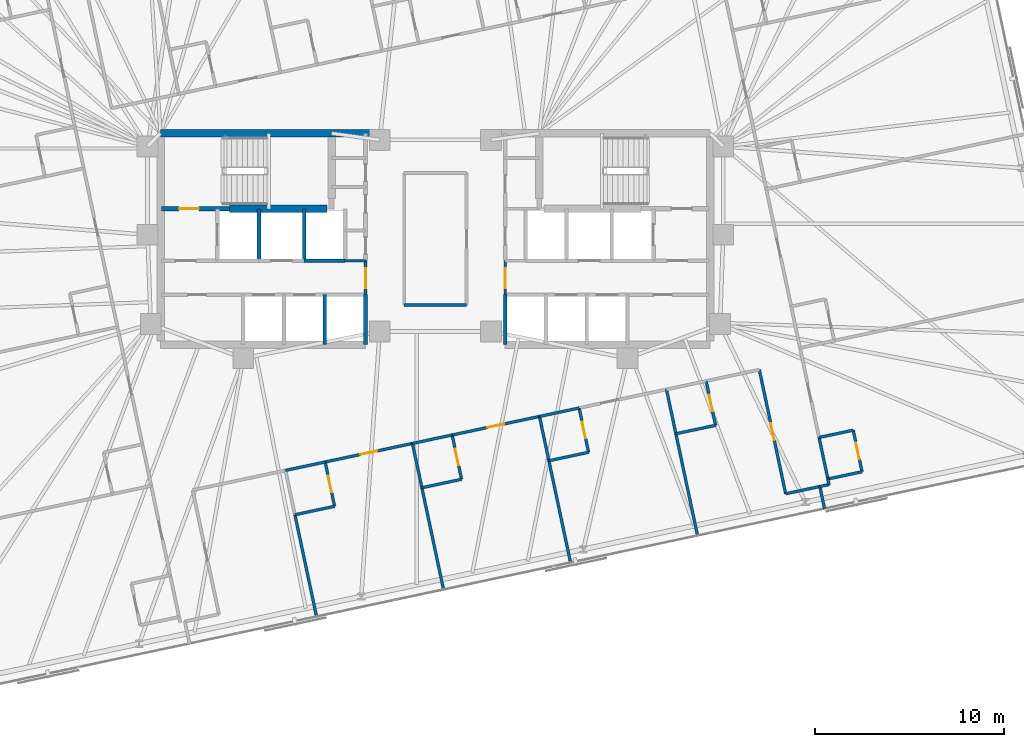
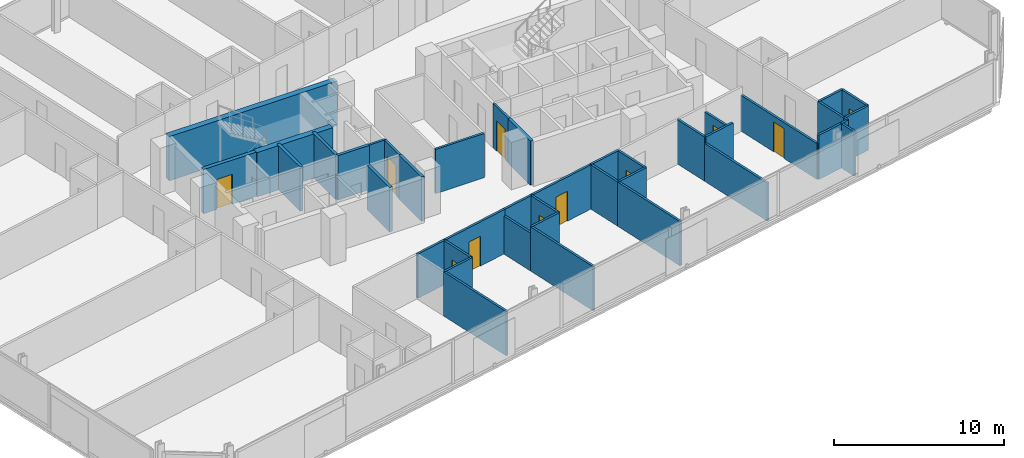
# One storey, part 15 of 20: 42 walls, 11 doors, 11 openings.
"""IFC4 building model written with IfcOpenShell, lengths in metres."""

from ifc_helpers import new_model, si_unit, direction, frame, frame_2d, origin, place, context, subcontext, project, spatial, rectangle, extrude, material, layer, layer_set, type_object, element, fill, save


model = new_model("IFC4")

# Units and contexts
model_context = context("Model", 3, precision=1e-05, world=origin(), true_north=direction((0.0, 1.0)))
body_context = subcontext(model_context, "Body", "Model", "MODEL_VIEW")
ifc_project = project(units=[si_unit("LENGTHUNIT", "METRE"), si_unit("AREAUNIT", "SQUARE_METRE"), si_unit("VOLUMEUNIT", "CUBIC_METRE"), si_unit("PLANEANGLEUNIT", "RADIAN"), si_unit("MASSUNIT", "GRAM", prefix="KILO")], contexts=[model_context])

# Site, building, storey
site_placement = place(None, origin())
site = spatial("IfcSite", under=ifc_project, at=site_placement, CompositionType="ELEMENT")
building_placement = place(site_placement, origin())
building = spatial("IfcBuilding", under=site, at=building_placement, Name="Menara Jurai Vektor", CompositionType="ELEMENT")
storey_placement = place(building_placement, frame((0.0, 0.0, 178.60009765625)))
storey = spatial("IfcBuildingStorey", under=building, at=storey_placement, Name="L46", CompositionType="ELEMENT", Elevation=178.60009765625)

# Wall, opening, door
ifc_material_1 = material(Name="Concrete C40/50", Category="concrete")
ifc_layer_1 = layer(ifc_material_1, 0.25)
ifc_layer_set_1 = layer_set([ifc_layer_1], Name="Concrete C40/50")
wall_type_1 = type_object("IfcWallType", Name="INT-WALL-CORE-250", PredefinedType="STANDARD", material=ifc_layer_set_1)
wall_1_placement = place(storey_placement, frame((-14.5, 1.60009765625, 0.0), z_axis=(0.0, 0.0, 1.0), x_axis=(1.0, 0.0, 0.0)))
wall_1 = element("IfcWall", 1, at=wall_1_placement, inside=storey, type_object=wall_type_1, Name="Interior Wall IW-250 L46", PredefinedType="STANDARD", context=body_context, shape_type="SweptSolid", body=[
    extrude(rectangle(XDim=3.60009765625, YDim=0.25, at=frame_2d((1.800048828125, 0.0))), origin(), (0.0, 0.0, 1.0), 3.1748046875),
])
opening_1_placement = place(wall_1_placement, frame((0.919921875, 0.0, 0.0)))
opening_1 = element("IfcOpeningElement", 2, at=opening_1_placement, cuts=wall_1, Name="Opening D-L46-ST1", PredefinedType="OPENING", context=body_context, shape_type="SweptSolid", body=[
    extrude(rectangle(XDim=1.050048828125, YDim=2.14990234375, at=frame_2d((0.52490234375, 1.074951171875))), frame((0.0, 0.135009765625, 0.0), z_axis=(0.0, -1.0, 0.0), x_axis=(1.0, 0.0, 0.0)), (0.0, 0.0, 1.0), 0.27001953125),
])
ifc_material_2 = material(Name="Fire-Rated Steel Door", Category="steel")
door_type_1 = type_object("IfcDoorType", Name="DR-STAIR-1050", OperationType="NOTDEFINED", PredefinedType="DOOR", material=ifc_material_2)
door_1_placement = place(opening_1_placement, origin())
door_1 = element("IfcDoor", 3, at=door_1_placement, inside=storey, type_object=door_type_1, Name="Exit Stair ST1 Door L46", OperationType="SINGLE_SWING_RIGHT", OverallHeight=2.14990234375, OverallWidth=1.050048828125, PredefinedType="DOOR", context=body_context, shape_type="SweptSolid", body=[
    extrude(rectangle(XDim=1.050048828125, YDim=2.14990234375, at=frame_2d((0.52490234375, 1.074951171875))), frame((0.0, 0.02490234375, 0.0), z_axis=(0.0, -1.0, 0.0), x_axis=(1.0, 0.0, 0.0)), (0.0, 0.0, 1.0), 0.050048828125),
])
fill(opening_1, door_1)

# Wall
wall_2_placement = place(storey_placement, frame((-9.35009765625, -1.14990234375, 0.0), z_axis=(0.0, 0.0, 1.0), x_axis=(0.0, 1.0, 0.0)))
element("IfcWall", 4, at=wall_2_placement, inside=storey, type_object=wall_type_1, Name="Interior Wall IW-250 L46", PredefinedType="STANDARD", context=body_context, shape_type="SweptSolid", body=[
    extrude(rectangle(XDim=2.75, YDim=0.199951171875, at=frame_2d((1.375, 0.0))), origin(), (0.0, 0.0, 1.0), 3.1748046875),
])

# Wall, opening, door
ifc_material_3 = material(Name="Gypsum Fireboard Partition", Category="gypsum")
ifc_layer_2 = layer(ifc_material_3, 0.14990234375)
ifc_layer_set_2 = layer_set([ifc_layer_2], Name="Gypsum Fireboard Partition")
wall_type_2 = type_object("IfcWallType", Name="INT-WALL-CORR-150", PredefinedType="PARTITIONING", material=ifc_layer_set_2)
wall_3_placement = place(storey_placement, frame((-3.699951171875, -2.949951171875, 0.0), z_axis=(0.0, 0.0, 1.0), x_axis=(0.0, 1.0, 0.0)))
wall_3 = element("IfcWall", 5, at=wall_3_placement, inside=storey, type_object=wall_type_2, Name="Interior Wall IW-150 L46", PredefinedType="PARTITIONING", context=body_context, shape_type="SweptSolid", body=[
    extrude(rectangle(XDim=1.800048828125, YDim=0.14990234375, at=frame_2d((0.89990234375, 0.0))), origin(), (0.0, 0.0, 1.0), 3.1748046875),
])
opening_2_placement = place(wall_3_placement, frame((0.35009765625, 0.0, 0.0)))
opening_2 = element("IfcOpeningElement", 6, at=opening_2_placement, cuts=wall_3, Name="Opening D-L46-LLW", PredefinedType="OPENING", context=body_context, shape_type="SweptSolid", body=[
    extrude(rectangle(XDim=1.050048828125, YDim=2.179931640625, at=frame_2d((0.52490234375, 1.08984375))), frame((0.0, 0.0849609375, 0.0), z_axis=(0.0, -1.0, 0.0), x_axis=(1.0, 0.0, 0.0)), (0.0, 0.0, 1.0), 0.169921875),
])
ifc_material_4 = material(Name="Fire-Rated Timber Door", Category="wood")
door_type_2 = type_object("IfcDoorType", Name="DR-LOBBY-1050", OperationType="NOTDEFINED", PredefinedType="DOOR", material=ifc_material_4)
door_2_placement = place(opening_2_placement, origin())
door_2 = element("IfcDoor", 7, at=door_2_placement, inside=storey, type_object=door_type_2, Name="Lift Lobby Corridor Door W L46", OperationType="SINGLE_SWING_LEFT", OverallHeight=2.179931640625, OverallWidth=1.050048828125, PredefinedType="DOOR", context=body_context, shape_type="SweptSolid", body=[
    extrude(rectangle(XDim=1.050048828125, YDim=2.179931640625, at=frame_2d((0.52490234375, 1.08984375))), frame((0.0, 0.02490234375, 0.0), z_axis=(0.0, -1.0, 0.0), x_axis=(1.0, 0.0, 0.0)), (0.0, 0.0, 1.0), 0.050048828125),
])
fill(opening_2, door_2)

# Wall
wall_4_placement = place(storey_placement, frame((-4.7900390625, -1.14990234375, 0.0), z_axis=(0.0, 0.0, 1.0), x_axis=(1.0, 0.0, 0.0)))
element("IfcWall", 8, at=wall_4_placement, inside=storey, type_object=wall_type_2, Name="Interior Wall IW-150 L46", PredefinedType="PARTITIONING", context=body_context, shape_type="SweptSolid", body=[
    extrude(rectangle(XDim=1.090087890625, YDim=0.14990234375, at=frame_2d((0.544921875, 0.0))), origin(), (0.0, 0.0, 1.0), 3.1748046875),
])

# Wall, opening, door
wall_5_placement = place(storey_placement, frame((3.699951171875, -2.949951171875, 0.0), z_axis=(0.0, 0.0, 1.0), x_axis=(0.0, 1.0, 0.0)))
wall_5 = element("IfcWall", 9, at=wall_5_placement, inside=storey, type_object=wall_type_2, Name="Interior Wall IW-150 L46", PredefinedType="PARTITIONING", context=body_context, shape_type="SweptSolid", body=[
    extrude(rectangle(XDim=1.800048828125, YDim=0.14990234375, at=frame_2d((0.89990234375, 0.0))), origin(), (0.0, 0.0, 1.0), 3.1748046875),
])
opening_3_placement = place(wall_5_placement, frame((0.35009765625, 0.0, 0.0)))
opening_3 = element("IfcOpeningElement", 10, at=opening_3_placement, cuts=wall_5, Name="Opening D-L46-LLE", PredefinedType="OPENING", context=body_context, shape_type="SweptSolid", body=[
    extrude(rectangle(XDim=1.050048828125, YDim=2.179931640625, at=frame_2d((0.52490234375, 1.08984375))), frame((0.0, 0.0849609375, 0.0), z_axis=(0.0, -1.0, 0.0), x_axis=(1.0, 0.0, 0.0)), (0.0, 0.0, 1.0), 0.169921875),
])
door_3_placement = place(opening_3_placement, frame((1.050048828125, 0.0, 0.0), z_axis=(0.0, 0.0, 1.0), x_axis=(-1.0, 0.0, 0.0)))
door_3 = element("IfcDoor", 11, at=door_3_placement, inside=storey, type_object=door_type_2, Name="Lift Lobby Corridor Door E L46", OperationType="SINGLE_SWING_RIGHT", OverallHeight=2.179931640625, OverallWidth=1.050048828125, PredefinedType="DOOR", context=body_context, shape_type="SweptSolid", body=[
    extrude(rectangle(XDim=1.050048828125, YDim=2.179931640625, at=frame_2d((0.52490234375, 1.08984375))), frame((0.0, 0.02490234375, 0.0), z_axis=(0.0, -1.0, 0.0), x_axis=(1.0, 0.0, 0.0)), (0.0, 0.0, 1.0), 0.050048828125),
])
fill(opening_3, door_3)

# Wall
wall_6_placement = place(storey_placement, frame((-1.64990234375, -3.489501953125, 0.0), z_axis=(0.0, 0.0, 1.0), x_axis=(0.999999975374, -0.000221926315, 0.0)))
element("IfcWall", 12, at=wall_6_placement, inside=storey, type_object=wall_type_2, Name="Interior Wall IW-150 L46", PredefinedType="PARTITIONING", context=body_context, shape_type="SweptSolid", body=[
    extrude(rectangle(XDim=3.30029296875, YDim=0.14990234375, at=frame_2d((1.650146484375, 0.0))), origin(), (0.0, 0.0, 1.0), 3.1748046875),
])

# Wall, opening, door
wall_7_placement = place(storey_placement, frame((-5.839599609375, -11.814453125, 0.0), z_axis=(0.0, 0.0, 1.0), x_axis=(0.978148615161, 0.207906918255, 0.0)))
wall_7 = element("IfcWall", 13, at=wall_7_placement, inside=storey, type_object=wall_type_2, Name="Interior Wall IW-150 L46", PredefinedType="PARTITIONING", context=body_context, shape_type="SweptSolid", body=[
    extrude(rectangle(XDim=4.728759765625, YDim=0.14990234375, at=frame_2d((2.3642578125, 0.0))), origin(), (0.0, 0.0, 1.0), 3.1748046875),
])
opening_4_placement = place(wall_7_placement, frame((1.904541015625, 0.0, 0.0)))
opening_4 = element("IfcOpeningElement", 14, at=opening_4_placement, cuts=wall_7, Name="Opening D46-21", PredefinedType="OPENING", context=body_context, shape_type="SweptSolid", body=[
    extrude(rectangle(XDim=0.919921875, YDim=2.14990234375, at=frame_2d((0.4599609375, 1.074951171875))), frame((0.0, 0.0849609375, 0.0), z_axis=(0.0, -1.0, 0.0), x_axis=(1.0, 0.0, 0.0)), (0.0, 0.0, 1.0), 0.169921875),
])
ifc_material_5 = material(Name="Solid Core Timber Fire Door", Category="wood")
door_type_3 = type_object("IfcDoorType", Name="DR-ENTRY-950", OperationType="NOTDEFINED", PredefinedType="DOOR", material=ifc_material_5)
door_4_placement = place(opening_4_placement, origin())
door_4 = element("IfcDoor", 15, at=door_4_placement, inside=storey, type_object=door_type_3, Name="Interior Door D46-21", OperationType="SINGLE_SWING_RIGHT", OverallHeight=2.14990234375, OverallWidth=0.919921875, PredefinedType="DOOR", context=body_context, shape_type="SweptSolid", body=[
    extrude(rectangle(XDim=0.919921875, YDim=2.14990234375, at=frame_2d((0.4599609375, 1.074951171875))), frame((0.0, 0.02490234375, 0.0), z_axis=(0.0, -1.0, 0.0), x_axis=(1.0, 0.0, 0.0)), (0.0, 0.0, 1.0), 0.050048828125),
])
fill(opening_4, door_4)

# Wall
wall_8_placement = place(storey_placement, frame((-7.942626953125, -12.261474609375, 0.0), z_axis=(0.0, 0.0, 1.0), x_axis=(0.978146728319, 0.207915795165, 0.0)))
element("IfcWall", 16, at=wall_8_placement, inside=storey, type_object=wall_type_2, Name="Interior Wall IW-150 L46", PredefinedType="PARTITIONING", context=body_context, shape_type="SweptSolid", body=[
    extrude(rectangle(XDim=2.14990234375, YDim=0.14990234375, at=frame_2d((1.074951171875, 0.0))), origin(), (0.0, 0.0, 1.0), 3.1748046875),
])

# Wall, opening, door
wall_9_placement = place(storey_placement, frame((0.888916015625, -10.38427734375, 0.0), z_axis=(0.0, 0.0, 1.0), x_axis=(0.978150846638, 0.207896419455, 0.0)))
wall_9 = element("IfcWall", 17, at=wall_9_placement, inside=storey, type_object=wall_type_2, Name="Interior Wall IW-150 L46", PredefinedType="PARTITIONING", context=body_context, shape_type="SweptSolid", body=[
    extrude(rectangle(XDim=4.72900390625, YDim=0.14990234375, at=frame_2d((2.364501953125, 0.0))), origin(), (0.0, 0.0, 1.0), 3.1748046875),
])
opening_5_placement = place(wall_9_placement, frame((1.904541015625, 0.0, 0.0)))
opening_5 = element("IfcOpeningElement", 18, at=opening_5_placement, cuts=wall_9, Name="Opening D46-23", PredefinedType="OPENING", context=body_context, shape_type="SweptSolid", body=[
    extrude(rectangle(XDim=0.919921875, YDim=2.14990234375, at=frame_2d((0.4599609375, 1.074951171875))), frame((0.0, 0.0849609375, 0.0), z_axis=(0.0, -1.0, 0.0), x_axis=(1.0, 0.0, 0.0)), (0.0, 0.0, 1.0), 0.169921875),
])
door_5_placement = place(opening_5_placement, origin())
door_5 = element("IfcDoor", 19, at=door_5_placement, inside=storey, type_object=door_type_3, Name="Interior Door D46-23", OperationType="SINGLE_SWING_RIGHT", OverallHeight=2.14990234375, OverallWidth=0.919921875, PredefinedType="DOOR", context=body_context, shape_type="SweptSolid", body=[
    extrude(rectangle(XDim=0.919921875, YDim=2.14990234375, at=frame_2d((0.4599609375, 1.074951171875))), frame((0.0, 0.02490234375, 0.0), z_axis=(0.0, -1.0, 0.0), x_axis=(1.0, 0.0, 0.0)), (0.0, 0.0, 1.0), 0.050048828125),
])
fill(opening_5, door_5)

# Walls
for number, where, z_axis, x_axis, name in (
    (20, (-1.214111328125, -10.831298828125, 0.0), (0.0, 0.0, 1.0), (0.978146728319, 0.207915795165, 0.0), "Interior Wall IW-150 L46"),
    (21, (5.5146484375, -9.401123046875, 0.0), (0.0, 0.0, 1.0), (0.978146728319, 0.207915795165, 0.0), "Interior Wall IW-150 L46"),
):
    element("IfcWall", number, at=place(storey_placement, frame(where, z_axis=z_axis, x_axis=x_axis)), inside=storey, type_object=wall_type_2, Name=name, PredefinedType="PARTITIONING", context=body_context, shape_type="SweptSolid", body=[
        extrude(rectangle(XDim=2.14990234375, YDim=0.14990234375, at=frame_2d((1.074951171875, 0.0))), origin(), (0.0, 0.0, 1.0), 3.1748046875),
    ])
wall_10_placement = place(storey_placement, frame((18.5595703125, -13.498291015625, 0.0), z_axis=(0.0, 0.0, 1.0), x_axis=(0.978160192495, 0.207852442415, 0.0)))
element("IfcWall", 22, at=wall_10_placement, inside=storey, type_object=wall_type_2, Name="Interior Wall IW-150 L46", PredefinedType="PARTITIONING", context=body_context, shape_type="SweptSolid", body=[
    extrude(rectangle(XDim=1.849853515625, YDim=0.14990234375, at=frame_2d((0.9248046875, 0.0))), origin(), (0.0, 0.0, 1.0), 3.1748046875),
])
wall_11_placement = place(storey_placement, frame((20.369140625, -13.11376953125, 0.0), z_axis=(0.0, 0.0, 1.0), x_axis=(0.978143962546, 0.207928806409, 0.0)))
element("IfcWall", 23, at=wall_11_placement, inside=storey, type_object=wall_type_2, Name="Interior Wall IW-150 L46", PredefinedType="PARTITIONING", context=body_context, shape_type="SweptSolid", body=[
    extrude(rectangle(XDim=0.500244140625, YDim=0.14990234375, at=frame_2d((0.25, 0.0))), origin(), (0.0, 0.0, 1.0), 3.1748046875),
])
wall_12_placement = place(storey_placement, frame((20.8583984375, -13.009765625, 0.0), z_axis=(0.0, 0.0, 1.0), x_axis=(-0.208306395052, 0.978063620518, 0.0)))
element("IfcWall", 24, at=wall_12_placement, inside=storey, type_object=wall_type_2, Name="Interior Wall IW-150 L46", PredefinedType="PARTITIONING", context=body_context, shape_type="SweptSolid", body=[
    extrude(rectangle(XDim=0.300048828125, YDim=0.14990234375, at=frame_2d((0.14990234375, 0.0))), origin(), (0.0, 0.0, 1.0), 3.1748046875),
])
wall_13_placement = place(storey_placement, frame((20.7958984375, -12.71630859375, 0.0), z_axis=(0.0, 0.0, 1.0), x_axis=(-0.207891197838, 0.978151956427, 0.0)))
element("IfcWall", 25, at=wall_13_placement, inside=storey, type_object=wall_type_2, Name="Interior Wall IW-150 L46", PredefinedType="PARTITIONING", context=body_context, shape_type="SweptSolid", body=[
    extrude(rectangle(XDim=2.25, YDim=0.14990234375, at=frame_2d((1.125, 0.0))), origin(), (0.0, 0.0, 1.0), 3.1748046875),
])
wall_14_placement = place(storey_placement, frame((-6.2958984375, -20.00830078125, 0.0), z_axis=(0.0, 0.0, 1.0), x_axis=(-0.20792487872, 0.978144797466, 0.0)))
element("IfcWall", 26, at=wall_14_placement, inside=storey, type_object=wall_type_2, Name="Interior Wall IW-150 L46", PredefinedType="PARTITIONING", context=body_context, shape_type="SweptSolid", body=[
    extrude(rectangle(XDim=5.519775390625, YDim=0.14990234375, at=frame_2d((2.759765625, 0.0))), origin(), (0.0, 0.0, 1.0), 3.1748046875),
])
wall_15_placement = place(storey_placement, frame((-7.443603515625, -14.609130859375, 0.0), z_axis=(0.0, 0.0, 1.0), x_axis=(0.978141818715, 0.207938891219, 0.0)))
element("IfcWall", 27, at=wall_15_placement, inside=storey, type_object=wall_type_2, Name="Interior Wall IW-150 L46", PredefinedType="PARTITIONING", context=body_context, shape_type="SweptSolid", body=[
    extrude(rectangle(XDim=2.149658203125, YDim=0.14990234375, at=frame_2d((1.07470703125, 0.0))), origin(), (0.0, 0.0, 1.0), 3.1748046875),
])

# Wall, opening, door
wall_16_placement = place(storey_placement, frame((-5.3408203125, -14.162109375, 0.0), z_axis=(0.0, 0.0, 1.0), x_axis=(-0.207819824493, 0.978167123015, 0.0)))
wall_16 = element("IfcWall", 28, at=wall_16_placement, inside=storey, type_object=wall_type_2, Name="Interior Wall IW-150 L46", PredefinedType="PARTITIONING", context=body_context, shape_type="SweptSolid", body=[
    extrude(rectangle(XDim=2.400146484375, YDim=0.14990234375, at=frame_2d((1.2001953125, 0.0))), origin(), (0.0, 0.0, 1.0), 3.1748046875),
])
opening_6_placement = place(wall_16_placement, frame((0.760009765625, 0.0, 0.0)))
opening_6 = element("IfcOpeningElement", 29, at=opening_6_placement, cuts=wall_16, Name="Opening D46-22", PredefinedType="OPENING", context=body_context, shape_type="SweptSolid", body=[
    extrude(rectangle(XDim=0.8798828125, YDim=2.14990234375, at=frame_2d((0.43994140625, 1.074951171875))), frame((0.0, 0.0849609375, 0.0), z_axis=(0.0, -1.0, 0.0), x_axis=(1.0, 0.0, 0.0)), (0.0, 0.0, 1.0), 0.169921875),
])
ifc_material_6 = material(Name="Moisture-Resistant Timber Door", Category="wood")
door_type_4 = type_object("IfcDoorType", Name="DR-BATH-880", OperationType="NOTDEFINED", PredefinedType="DOOR", material=ifc_material_6)
door_6_placement = place(opening_6_placement, origin())
door_6 = element("IfcDoor", 30, at=door_6_placement, inside=storey, type_object=door_type_4, Name="Interior Door D46-22", OperationType="SINGLE_SWING_LEFT", OverallHeight=2.14990234375, OverallWidth=0.8798828125, PredefinedType="DOOR", context=body_context, shape_type="SweptSolid", body=[
    extrude(rectangle(XDim=0.8798828125, YDim=2.14990234375, at=frame_2d((0.43994140625, 1.074951171875))), frame((0.0, 0.02490234375, 0.0), z_axis=(0.0, -1.0, 0.0), x_axis=(1.0, 0.0, 0.0)), (0.0, 0.0, 1.0), 0.050048828125),
])
fill(opening_6, door_6)

# Walls
wall_17_placement = place(storey_placement, frame((0.4326171875, -18.578125, 0.0), z_axis=(0.0, 0.0, 1.0), x_axis=(-0.20791588359, 0.978146709523, 0.0)))
element("IfcWall", 31, at=wall_17_placement, inside=storey, type_object=wall_type_2, Name="Interior Wall IW-150 L46", PredefinedType="PARTITIONING", context=body_context, shape_type="SweptSolid", body=[
    extrude(rectangle(XDim=5.52001953125, YDim=0.14990234375, at=frame_2d((2.760009765625, 0.0))), origin(), (0.0, 0.0, 1.0), 3.1748046875),
])
wall_18_placement = place(storey_placement, frame((-0.715087890625, -13.1787109375, 0.0), z_axis=(0.0, 0.0, 1.0), x_axis=(0.978146728319, 0.207915795165, 0.0)))
element("IfcWall", 32, at=wall_18_placement, inside=storey, type_object=wall_type_2, Name="Interior Wall IW-150 L46", PredefinedType="PARTITIONING", context=body_context, shape_type="SweptSolid", body=[
    extrude(rectangle(XDim=2.14990234375, YDim=0.14990234375, at=frame_2d((1.074951171875, 0.0))), origin(), (0.0, 0.0, 1.0), 3.1748046875),
])

# Wall, opening, door
wall_19_placement = place(storey_placement, frame((1.387939453125, -12.731689453125, 0.0), z_axis=(0.0, 0.0, 1.0), x_axis=(-0.207937840262, 0.978142042133, 0.0)))
wall_19 = element("IfcWall", 33, at=wall_19_placement, inside=storey, type_object=wall_type_2, Name="Interior Wall IW-150 L46", PredefinedType="PARTITIONING", context=body_context, shape_type="SweptSolid", body=[
    extrude(rectangle(XDim=2.39990234375, YDim=0.14990234375, at=frame_2d((1.199951171875, 0.0))), origin(), (0.0, 0.0, 1.0), 3.1748046875),
])
opening_7_placement = place(wall_19_placement, frame((0.760009765625, 0.0, 0.0)))
opening_7 = element("IfcOpeningElement", 34, at=opening_7_placement, cuts=wall_19, Name="Opening D46-24", PredefinedType="OPENING", context=body_context, shape_type="SweptSolid", body=[
    extrude(rectangle(XDim=0.8798828125, YDim=2.14990234375, at=frame_2d((0.43994140625, 1.074951171875))), frame((0.0, 0.0849609375, 0.0), z_axis=(0.0, -1.0, 0.0), x_axis=(1.0, 0.0, 0.0)), (0.0, 0.0, 1.0), 0.169921875),
])
door_7_placement = place(opening_7_placement, origin())
door_7 = element("IfcDoor", 35, at=door_7_placement, inside=storey, type_object=door_type_4, Name="Interior Door D46-24", OperationType="SINGLE_SWING_LEFT", OverallHeight=2.14990234375, OverallWidth=0.8798828125, PredefinedType="DOOR", context=body_context, shape_type="SweptSolid", body=[
    extrude(rectangle(XDim=0.8798828125, YDim=2.14990234375, at=frame_2d((0.43994140625, 1.074951171875))), frame((0.0, 0.02490234375, 0.0), z_axis=(0.0, -1.0, 0.0), x_axis=(1.0, 0.0, 0.0)), (0.0, 0.0, 1.0), 0.050048828125),
])
fill(opening_7, door_7)

# Walls
wall_20_placement = place(storey_placement, frame((7.161376953125, -17.14794921875, 0.0), z_axis=(0.0, 0.0, 1.0), x_axis=(-0.20791588359, 0.978146709523, 0.0)))
element("IfcWall", 36, at=wall_20_placement, inside=storey, type_object=wall_type_2, Name="Interior Wall IW-150 L46", PredefinedType="PARTITIONING", context=body_context, shape_type="SweptSolid", body=[
    extrude(rectangle(XDim=5.52001953125, YDim=0.14990234375, at=frame_2d((2.760009765625, 0.0))), origin(), (0.0, 0.0, 1.0), 3.1748046875),
])
wall_21_placement = place(storey_placement, frame((6.013671875, -11.74853515625, 0.0), z_axis=(0.0, 0.0, 1.0), x_axis=(-0.207937840262, 0.978142042133, 0.0)))
element("IfcWall", 37, at=wall_21_placement, inside=storey, type_object=wall_type_2, Name="Interior Wall IW-150 L46", PredefinedType="PARTITIONING", context=body_context, shape_type="SweptSolid", body=[
    extrude(rectangle(XDim=2.39990234375, YDim=0.14990234375, at=frame_2d((1.199951171875, 0.0))), origin(), (0.0, 0.0, 1.0), 3.1748046875),
])
wall_22_placement = place(storey_placement, frame((6.013671875, -11.74853515625, 0.0), z_axis=(0.0, 0.0, 1.0), x_axis=(0.978146728319, 0.207915795165, 0.0)))
element("IfcWall", 38, at=wall_22_placement, inside=storey, type_object=wall_type_2, Name="Interior Wall IW-150 L46", PredefinedType="PARTITIONING", context=body_context, shape_type="SweptSolid", body=[
    extrude(rectangle(XDim=2.14990234375, YDim=0.14990234375, at=frame_2d((1.074951171875, 0.0))), origin(), (0.0, 0.0, 1.0), 3.1748046875),
])

# Wall, opening, door
wall_23_placement = place(storey_placement, frame((8.11669921875, -11.301513671875, 0.0), z_axis=(0.0, 0.0, 1.0), x_axis=(-0.207937840262, 0.978142042133, 0.0)))
wall_23 = element("IfcWall", 39, at=wall_23_placement, inside=storey, type_object=wall_type_2, Name="Interior Wall IW-150 L46", PredefinedType="PARTITIONING", context=body_context, shape_type="SweptSolid", body=[
    extrude(rectangle(XDim=2.39990234375, YDim=0.14990234375, at=frame_2d((1.199951171875, 0.0))), origin(), (0.0, 0.0, 1.0), 3.1748046875),
])
opening_8_placement = place(wall_23_placement, frame((0.760009765625, 0.0, 0.0)))
opening_8 = element("IfcOpeningElement", 40, at=opening_8_placement, cuts=wall_23, Name="Opening D46-26", PredefinedType="OPENING", context=body_context, shape_type="SweptSolid", body=[
    extrude(rectangle(XDim=0.8798828125, YDim=2.14990234375, at=frame_2d((0.43994140625, 1.074951171875))), frame((0.0, 0.0849609375, 0.0), z_axis=(0.0, -1.0, 0.0), x_axis=(1.0, 0.0, 0.0)), (0.0, 0.0, 1.0), 0.169921875),
])
door_8_placement = place(opening_8_placement, origin())
door_8 = element("IfcDoor", 41, at=door_8_placement, inside=storey, type_object=door_type_4, Name="Interior Door D46-26", OperationType="SINGLE_SWING_LEFT", OverallHeight=2.14990234375, OverallWidth=0.8798828125, PredefinedType="DOOR", context=body_context, shape_type="SweptSolid", body=[
    extrude(rectangle(XDim=0.8798828125, YDim=2.14990234375, at=frame_2d((0.43994140625, 1.074951171875))), frame((0.0, 0.02490234375, 0.0), z_axis=(0.0, -1.0, 0.0), x_axis=(1.0, 0.0, 0.0)), (0.0, 0.0, 1.0), 0.050048828125),
])
fill(opening_8, door_8)

# Walls
wall_24_placement = place(storey_placement, frame((12.742431640625, -10.318359375, 0.0), z_axis=(0.0, 0.0, 1.0), x_axis=(-0.207917150959, 0.978146440129, 0.0)))
element("IfcWall", 42, at=wall_24_placement, inside=storey, type_object=wall_type_2, Name="Interior Wall IW-150 L46", PredefinedType="PARTITIONING", context=body_context, shape_type="SweptSolid", body=[
    extrude(rectangle(XDim=2.400146484375, YDim=0.14990234375, at=frame_2d((1.2001953125, 0.0))), origin(), (0.0, 0.0, 1.0), 3.1748046875),
])
wall_25_placement = place(storey_placement, frame((12.742431640625, -10.318359375, 0.0), z_axis=(0.0, 0.0, 1.0), x_axis=(0.978146728319, 0.207915795165, 0.0)))
element("IfcWall", 43, at=wall_25_placement, inside=storey, type_object=wall_type_2, Name="Interior Wall IW-150 L46", PredefinedType="PARTITIONING", context=body_context, shape_type="SweptSolid", body=[
    extrude(rectangle(XDim=2.14990234375, YDim=0.14990234375, at=frame_2d((1.074951171875, 0.0))), origin(), (0.0, 0.0, 1.0), 3.1748046875),
])
wall_26_placement = place(storey_placement, frame((20.61865234375, -14.28759765625, 0.0), z_axis=(0.0, 0.0, 1.0), x_axis=(-0.207917150959, 0.978146440129, 0.0)))
element("IfcWall", 44, at=wall_26_placement, inside=storey, type_object=wall_type_2, Name="Interior Wall IW-150 L46", PredefinedType="PARTITIONING", context=body_context, shape_type="SweptSolid", body=[
    extrude(rectangle(XDim=1.199951171875, YDim=0.14990234375, at=frame_2d((0.60009765625, 0.0))), origin(), (0.0, 0.0, 1.0), 3.1748046875),
])
for number, where, z_axis, x_axis, name in (
    (45, (20.7958984375, -12.71630859375, 0.0), (0.0, 0.0, 1.0), (0.978160192495, 0.207852442415, 0.0), "Interior Wall IW-150 L46"),
    (46, (20.328125, -10.515380859375, 0.0), (0.0, 0.0, 1.0), (0.978160192495, 0.207852442415, 0.0), "Interior Wall IW-150 L46"),
):
    element("IfcWall", number, at=place(storey_placement, frame(where, z_axis=z_axis, x_axis=x_axis)), inside=storey, type_object=wall_type_2, Name=name, PredefinedType="PARTITIONING", context=body_context, shape_type="SweptSolid", body=[
        extrude(rectangle(XDim=1.849853515625, YDim=0.14990234375, at=frame_2d((0.9248046875, 0.0))), origin(), (0.0, 0.0, 1.0), 3.1748046875),
    ])

# Wall, opening, door
wall_27_placement = place(storey_placement, frame((22.60546875, -12.331787109375, 0.0), z_axis=(0.0, 0.0, 1.0), x_axis=(-0.207891197838, 0.978151956427, 0.0)))
wall_27 = element("IfcWall", 47, at=wall_27_placement, inside=storey, type_object=wall_type_2, Name="Interior Wall IW-150 L46", PredefinedType="PARTITIONING", context=body_context, shape_type="SweptSolid", body=[
    extrude(rectangle(XDim=2.25, YDim=0.14990234375, at=frame_2d((1.125, 0.0))), origin(), (0.0, 0.0, 1.0), 3.1748046875),
])
opening_9_placement = place(wall_27_placement, frame((0.68505859375, 0.0, 0.0)))
opening_9 = element("IfcOpeningElement", 48, at=opening_9_placement, cuts=wall_27, Name="Opening D46-40", PredefinedType="OPENING", context=body_context, shape_type="SweptSolid", body=[
    extrude(rectangle(XDim=0.8798828125, YDim=2.14990234375, at=frame_2d((0.43994140625, 1.074951171875))), frame((0.0, 0.0849609375, 0.0), z_axis=(0.0, -1.0, 0.0), x_axis=(1.0, 0.0, 0.0)), (0.0, 0.0, 1.0), 0.169921875),
])
door_9_placement = place(opening_9_placement, origin())
door_9 = element("IfcDoor", 49, at=door_9_placement, inside=storey, type_object=door_type_4, Name="Interior Door D46-40", OperationType="SINGLE_SWING_LEFT", OverallHeight=2.14990234375, OverallWidth=0.8798828125, PredefinedType="DOOR", context=body_context, shape_type="SweptSolid", body=[
    extrude(rectangle(XDim=0.8798828125, YDim=2.14990234375, at=frame_2d((0.43994140625, 1.074951171875))), frame((0.0, 0.02490234375, 0.0), z_axis=(0.0, -1.0, 0.0), x_axis=(1.0, 0.0, 0.0)), (0.0, 0.0, 1.0), 0.050048828125),
])
fill(opening_9, door_9)

# Walls
ifc_layer_3 = layer(ifc_material_3, 0.14990234375)
ifc_layer_set_3 = layer_set([ifc_layer_3], Name="Gypsum Fireboard Partition")
wall_type_3 = type_object("IfcWallType", Name="INT-WALL-CORR-150-H1", PredefinedType="PARTITIONING", material=ifc_layer_set_3)
wall_28_placement = place(storey_placement, frame((-0.715087890625, -13.1787109375, 0.0), z_axis=(0.0, 0.0, 1.0), x_axis=(-0.207937840262, 0.978142042133, 0.0)))
element("IfcWall", 50, at=wall_28_placement, inside=storey, type_object=wall_type_3, Name="Interior Wall IW-150 L46", PredefinedType="PARTITIONING", context=body_context, shape_type="SweptSolid", body=[
    extrude(rectangle(XDim=2.39990234375, YDim=0.14990234375, at=frame_2d((1.199951171875, 0.0))), origin(), (0.0, 0.0, 1.0), 2.724853515625),
])
wall_29_placement = place(storey_placement, frame((13.889892578125, -15.7177734375, 0.0), z_axis=(0.0, 0.0, 1.0), x_axis=(-0.207873566928, 0.97815570344, 0.0)))
element("IfcWall", 51, at=wall_29_placement, inside=storey, type_object=wall_type_3, Name="Interior Wall IW-150 L46", PredefinedType="PARTITIONING", context=body_context, shape_type="SweptSolid", body=[
    extrude(rectangle(XDim=5.52001953125, YDim=0.14990234375, at=frame_2d((2.760009765625, 0.0))), origin(), (0.0, 0.0, 1.0), 2.724853515625),
])

# Wall, opening, door
wall_30_placement = place(storey_placement, frame((14.845458984375, -9.871337890625, 0.0), z_axis=(0.0, 0.0, 1.0), x_axis=(-0.207917150959, 0.978146440129, 0.0)))
wall_30 = element("IfcWall", 52, at=wall_30_placement, inside=storey, type_object=wall_type_3, Name="Interior Wall IW-150 L46", PredefinedType="PARTITIONING", context=body_context, shape_type="SweptSolid", body=[
    extrude(rectangle(XDim=2.400146484375, YDim=0.14990234375, at=frame_2d((1.2001953125, 0.0))), origin(), (0.0, 0.0, 1.0), 2.724853515625),
])
opening_10_placement = place(wall_30_placement, frame((0.760009765625, 0.0, 0.0)))
opening_10 = element("IfcOpeningElement", 53, at=opening_10_placement, cuts=wall_30, Name="Opening D46-28", PredefinedType="OPENING", context=body_context, shape_type="SweptSolid", body=[
    extrude(rectangle(XDim=0.8798828125, YDim=2.14990234375, at=frame_2d((0.43994140625, 1.074951171875))), frame((0.0, 0.0849609375, 0.0), z_axis=(0.0, -1.0, 0.0), x_axis=(1.0, 0.0, 0.0)), (0.0, 0.0, 1.0), 0.169921875),
])
door_10_placement = place(opening_10_placement, origin())
door_10 = element("IfcDoor", 54, at=door_10_placement, inside=storey, type_object=door_type_4, Name="Interior Door D46-28", OperationType="SINGLE_SWING_LEFT", OverallHeight=2.14990234375, OverallWidth=0.8798828125, PredefinedType="DOOR", context=body_context, shape_type="SweptSolid", body=[
    extrude(rectangle(XDim=0.8798828125, YDim=2.14990234375, at=frame_2d((0.43994140625, 1.074951171875))), frame((0.0, 0.02490234375, 0.0), z_axis=(0.0, -1.0, 0.0), x_axis=(1.0, 0.0, 0.0)), (0.0, 0.0, 1.0), 0.050048828125),
])
fill(opening_10, door_10)

ifc_layer_4 = layer(ifc_material_3, 0.14990234375)
ifc_layer_set_4 = layer_set([ifc_layer_4], Name="Gypsum Fireboard Partition")
wall_type_4 = type_object("IfcWallType", Name="INT-WALL-CORR-150-H2", PredefinedType="PARTITIONING", material=ifc_layer_set_4)
wall_31_placement = place(storey_placement, frame((18.5595703125, -13.498291015625, 0.0), z_axis=(0.0, 0.0, 1.0), x_axis=(-0.207888737749, 0.978152479278, 0.0)))
wall_31 = element("IfcWall", 55, at=wall_31_placement, inside=storey, type_object=wall_type_4, Name="Interior Wall IW-150 L46", PredefinedType="PARTITIONING", context=body_context, shape_type="SweptSolid", body=[
    extrude(rectangle(XDim=6.7197265625, YDim=0.14990234375, at=frame_2d((3.35986328125, 0.0))), origin(), (0.0, 0.0, 1.0), 2.574951171875),
])
opening_11_placement = place(wall_31_placement, frame((2.89990234375, 0.0, 0.0)))
opening_11 = element("IfcOpeningElement", 56, at=opening_11_placement, cuts=wall_31, Name="Opening D46-27", PredefinedType="OPENING", context=body_context, shape_type="SweptSolid", body=[
    extrude(rectangle(XDim=0.919921875, YDim=2.14990234375, at=frame_2d((0.4599609375, 1.074951171875))), frame((0.0, 0.0849609375, 0.0), z_axis=(0.0, -1.0, 0.0), x_axis=(1.0, 0.0, 0.0)), (0.0, 0.0, 1.0), 0.169921875),
])
door_11_placement = place(opening_11_placement, origin())
door_11 = element("IfcDoor", 57, at=door_11_placement, inside=storey, type_object=door_type_3, Name="Interior Door D46-27", OperationType="SINGLE_SWING_RIGHT", OverallHeight=2.14990234375, OverallWidth=0.919921875, PredefinedType="DOOR", context=body_context, shape_type="SweptSolid", body=[
    extrude(rectangle(XDim=0.919921875, YDim=2.14990234375, at=frame_2d((0.4599609375, 1.074951171875))), frame((0.0, 0.02490234375, 0.0), z_axis=(0.0, -1.0, 0.0), x_axis=(1.0, 0.0, 0.0)), (0.0, 0.0, 1.0), 0.050048828125),
])
fill(opening_11, door_11)

# Walls
ifc_layer_5 = layer(ifc_material_1, 0.199951171875)
ifc_layer_set_5 = layer_set([ifc_layer_5], Name="Concrete C40/50")
wall_type_5 = type_object("IfcWallType", Name="INT-WALL-SHAFT-200", PredefinedType="STANDARD", material=ifc_layer_set_5)
wall_32_placement = place(storey_placement, frame((-3.699951171875, -5.60009765625, 0.0), z_axis=(0.0, 0.0, 1.0), x_axis=(0.0, 1.0, 0.0)))
element("IfcWall", 58, at=wall_32_placement, inside=storey, type_object=wall_type_5, Name="Interior Wall IW-200 L46", PredefinedType="STANDARD", context=body_context, shape_type="SweptSolid", body=[
    extrude(rectangle(XDim=2.650146484375, YDim=0.199951171875, at=frame_2d((1.3251953125, 0.0))), origin(), (0.0, 0.0, 1.0), 3.1748046875),
])
wall_33_placement = place(storey_placement, frame((-6.949951171875, -1.14990234375, 0.0), z_axis=(0.0, 0.0, 1.0), x_axis=(0.0, 1.0, 0.0)))
element("IfcWall", 59, at=wall_33_placement, inside=storey, type_object=wall_type_5, Name="Interior Wall IW-200 L46", PredefinedType="STANDARD", context=body_context, shape_type="SweptSolid", body=[
    extrude(rectangle(XDim=2.75, YDim=0.199951171875, at=frame_2d((1.375, 0.0))), origin(), (0.0, 0.0, 1.0), 3.1748046875),
])
wall_34_placement = place(storey_placement, frame((-6.949951171875, -1.14990234375, 0.0), z_axis=(0.0, 0.0, 1.0), x_axis=(1.0, 0.0, 0.0)))
element("IfcWall", 60, at=wall_34_placement, inside=storey, type_object=wall_type_5, Name="Interior Wall IW-200 L46", PredefinedType="STANDARD", context=body_context, shape_type="SweptSolid", body=[
    extrude(rectangle(XDim=2.159912109375, YDim=0.199951171875, at=frame_2d((1.080078125, 0.0))), origin(), (0.0, 0.0, 1.0), 3.1748046875),
])
for number, where, z_axis, x_axis, name in (
    (61, (-5.860107421875, -5.60009765625, 0.0), (0.0, 0.0, 1.0), (0.0, 1.0, 0.0), "Interior Wall IW-200 L46"),
    (62, (3.699951171875, -5.60009765625, 0.0), (0.0, 0.0, 1.0), (0.0, 1.0, 0.0), "Interior Wall IW-200 L46"),
):
    element("IfcWall", number, at=place(storey_placement, frame(where, z_axis=z_axis, x_axis=x_axis)), inside=storey, type_object=wall_type_5, Name=name, PredefinedType="STANDARD", context=body_context, shape_type="SweptSolid", body=[
        extrude(rectangle(XDim=2.650146484375, YDim=0.199951171875, at=frame_2d((1.3251953125, 0.0))), origin(), (0.0, 0.0, 1.0), 3.1748046875),
    ])
ifc_material_7 = material(Name="Concrete C50/60", Category="concrete")
ifc_layer_6 = layer(ifc_material_7, 0.39990234375)
ifc_layer_set_6 = layer_set([ifc_layer_6], Name="Concrete C50/60")
wall_type_6 = type_object("IfcWallType", Name="STR-WALL-CORE400", PredefinedType="SHEAR", material=ifc_layer_set_6)
wall_35_placement = place(storey_placement, frame((-14.56005859375, 5.60009765625, 0.0), z_axis=(0.0, 0.0, 1.0), x_axis=(1.0, 0.0, 0.0)))
element("IfcWall", 63, at=wall_35_placement, inside=storey, type_object=wall_type_6, Name="Core Shear Wall CW-W-N L46", PredefinedType="SHEAR", context=body_context, shape_type="SweptSolid", body=[
    extrude(rectangle(XDim=11.41015625, YDim=0.39990234375, at=frame_2d((5.705078125, 0.0))), origin(), (0.0, 0.0, 1.0), 3.1748046875),
])
wall_36_placement = place(storey_placement, frame((-10.89990234375, 1.60009765625, 0.0), z_axis=(0.0, 0.0, 1.0), x_axis=(1.0, 0.0, 0.0)))
element("IfcWall", 64, at=wall_36_placement, inside=storey, type_object=wall_type_6, Name="Core Shear Wall CW-W-STS L46", PredefinedType="SHEAR", context=body_context, shape_type="SweptSolid", body=[
    extrude(rectangle(XDim=5.14990234375, YDim=0.39990234375, at=frame_2d((2.574951171875, 0.0))), origin(), (0.0, 0.0, 1.0), 3.1748046875),
])

save(model, "model.ifc")
